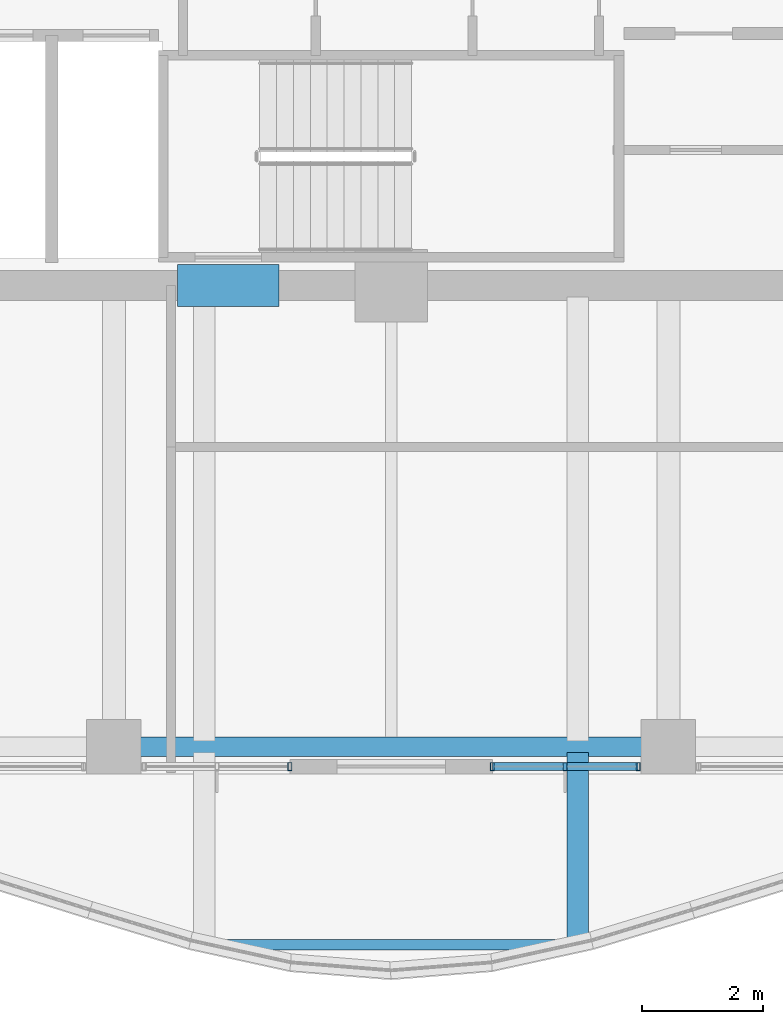
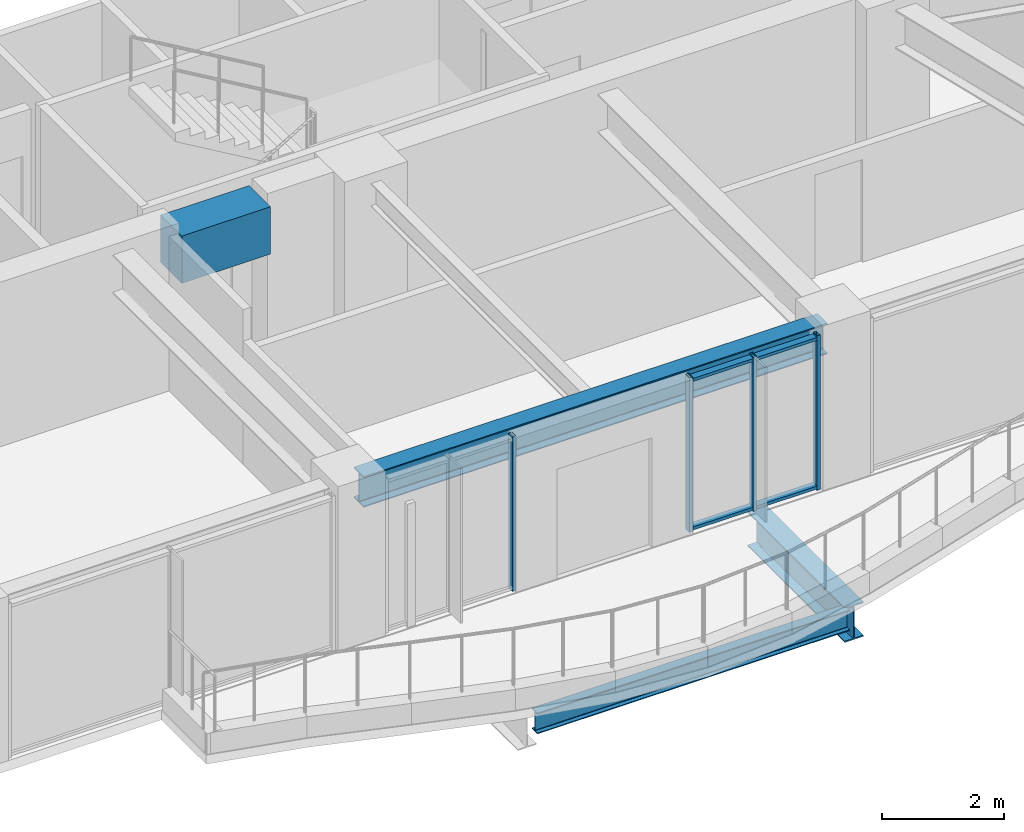
# One storey, part 6 of 31: 6 members, 4 beams, 2 elements without a shape of their own.
"""IFC4 building model written with IfcOpenShell, lengths in metres."""

from ifc_helpers import new_model, si_unit, direction, frame, origin, origin_2d, place, context, subcontext, project, spatial, rectangle, hollow_rectangle, i_section, extrude, material, material_profile, profile_set, type_object, element, aggregate, save


model = new_model("IFC4")

# Units and contexts
model_context = context("Model", 3, precision=1e-05, world=origin(), true_north=direction((0.0, 1.0)))
body_context = subcontext(model_context, "Body", "Model", "MODEL_VIEW")
ifc_project = project(units=[si_unit("LENGTHUNIT", "METRE"), si_unit("AREAUNIT", "SQUARE_METRE"), si_unit("VOLUMEUNIT", "CUBIC_METRE"), si_unit("PLANEANGLEUNIT", "RADIAN"), si_unit("MASSUNIT", "GRAM", prefix="KILO")], contexts=[model_context])

# Site, building, storey
site_placement = place(None, origin())
site = spatial("IfcSite", under=ifc_project, at=site_placement, CompositionType="ELEMENT")
building_placement = place(site_placement, origin())
building = spatial("IfcBuilding", under=site, at=building_placement, Name="Kolvaren Belvedere", CompositionType="ELEMENT")
storey_placement = place(building_placement, frame((0.0, 0.0, 134.89990234375)))
storey = spatial("IfcBuildingStorey", under=building, at=storey_placement, Name="L39", CompositionType="ELEMENT", Elevation=134.89990234375)

# Beams
ifc_material_1 = material(Name="Structural steel ASTM A992 Grade 50", Category="steel")
ifc_material_profile_1 = material_profile(ifc_material_1, i_section(OverallWidth=0.35498046875, OverallDepth=0.696044921875, WebThickness=0.015380859375, FlangeThickness=0.02490234375, FilletRadius=0.02197265625, at=origin_2d()), Name="W27X146")
ifc_profile_set_1 = profile_set([ifc_material_profile_1], Name="Structural steel ASTM A992 Grade 50")
beam_type_1 = type_object("IfcBeamType", Name="BM-CANT-BAL", PredefinedType="BEAM", material=ifc_profile_set_1)
beam_1_placement = place(storey_placement, frame((3.10009765625, -17.64501953125, -0.5478515625), z_axis=(0.0, -1.0, 0.0), x_axis=(1.0, 0.0, 0.0)))
element("IfcBeam", 1, at=beam_1_placement, inside=storey, type_object=beam_type_1, Name="L39 Planted Balcony Cantilever BAL-S-2", PredefinedType="BEAM", context=body_context, shape_type="SweptSolid", body=[
    extrude(i_section(OverallWidth=0.35498046875, OverallDepth=0.696044921875, WebThickness=0.015380859375, FlangeThickness=0.02490234375, FilletRadius=0.02197265625, at=origin_2d()), origin(), (0.0, 0.0, 1.0), 3.190673828125),
])
ifc_material_2 = material(Name="Structural steel ASTM A992 Grade 50", Category="steel")
ifc_material_profile_2 = material_profile(ifc_material_2, i_section(OverallWidth=0.180908203125, OverallDepth=0.4169921875, WebThickness=0.010986328125, FlangeThickness=0.018310546875, FilletRadius=0.013916015625, at=origin_2d()), Name="W16X57")
ifc_profile_set_2 = profile_set([ifc_material_profile_2], Name="Structural steel ASTM A992 Grade 50")
beam_type_2 = type_object("IfcBeamType", Name="BM-EDGE-W16X57", PredefinedType="BEAM", material=ifc_profile_set_2)
beam_2_placement = place(storey_placement, frame((-2.9599609375, -20.835693359375, -0.408447265625), z_axis=(1.0, 0.0, 0.0), x_axis=(0.0, 1.0, 0.0)))
element("IfcBeam", 2, at=beam_2_placement, inside=storey, type_object=beam_type_2, Name="L39 Balcony Tip Header Beam BAL-S", PredefinedType="BEAM", context=body_context, shape_type="SweptSolid", body=[
    extrude(i_section(OverallWidth=0.180908203125, OverallDepth=0.4169921875, WebThickness=0.010986328125, FlangeThickness=0.018310546875, FilletRadius=0.013916015625, at=origin_2d()), origin(), (0.0, 0.0, 1.0), 5.919921875),
])
ifc_material_3 = material(Name="Concrete C60/75", Category="concrete")
ifc_material_profile_3 = material_profile(ifc_material_3, rectangle(XDim=0.699951171875, YDim=0.949951171875, at=origin_2d()), Name="RC 700X950")
ifc_profile_set_3 = profile_set([ifc_material_profile_3], Name="Concrete C60/75")
beam_type_3 = type_object("IfcBeamType", Name="BM-LINT-950", PredefinedType="LINTEL", material=ifc_profile_set_3)
beam_3_placement = place(storey_placement, frame((-3.5400390625, -9.89990234375, 2.625), z_axis=(1.0, 0.0, 0.0), x_axis=(0.0, 1.0, 0.0)))
element("IfcBeam", 3, at=beam_3_placement, inside=storey, type_object=beam_type_3, Name="L39 South Core Coupling Lintel", PredefinedType="LINTEL", context=body_context, shape_type="SweptSolid", body=[
    extrude(rectangle(XDim=0.699951171875, YDim=0.949951171875, at=origin_2d()), origin(), (0.0, 0.0, 1.0), 1.679931640625),
])
ifc_material_4 = material(Name="Structural steel ASTM A992 Grade 50", Category="steel")
ifc_material_profile_4 = material_profile(ifc_material_4, i_section(OverallWidth=0.324951171875, OverallDepth=0.615966796875, WebThickness=0.013916015625, FlangeThickness=0.021484375, FilletRadius=0.02001953125, at=origin_2d()), Name="W24X117")
ifc_profile_set_4 = profile_set([ifc_material_profile_4], Name="Structural steel ASTM A992 Grade 50")
beam_type_4 = type_object("IfcBeamType", Name="BM-SPAN-W24X117", PredefinedType="SPANDREL", material=ifc_profile_set_4)
beam_4_placement = place(storey_placement, frame((-4.3974609375, -17.550048828125, 2.7919921875), z_axis=(1.0, 0.0, 0.0), x_axis=(0.0, 1.0, 0.0)))
element("IfcBeam", 4, at=beam_4_placement, inside=storey, type_object=beam_type_4, Name="L39 Perimeter Spandrel S2-S3", PredefinedType="SPANDREL", context=body_context, shape_type="SweptSolid", body=[
    extrude(i_section(OverallWidth=0.324951171875, OverallDepth=0.615966796875, WebThickness=0.013916015625, FlangeThickness=0.021484375, FilletRadius=0.02001953125, at=origin_2d()), origin(), (0.0, 0.0, 1.0), 8.794921875),
])

# Curtain wall, members
ifc_material_5 = material(Name="Anodised pale-metal aluminium AA 6063-T6", Category="aluminium")
curtain_wall_type = type_object("IfcCurtainWallType", Name="CW-Z3-WAIST", PredefinedType="NOTDEFINED", material=ifc_material_5)
curtain_wall_1_placement = place(storey_placement, origin())
curtain_wall_1 = element("IfcCurtainWall", 5, at=curtain_wall_1_placement, inside=storey, type_object=curtain_wall_type, Name="L39 Unitised Curtain Wall FCW-L39-S1-B2", PredefinedType="NOTDEFINED")
ifc_material_6 = material(Name="Anodised pale-metal aluminium AA 6063-T6", Category="aluminium")
ifc_material_profile_5 = material_profile(ifc_material_6, hollow_rectangle(XDim=0.06494140625, YDim=0.1298828125, WallThickness=0.00390625, at=origin_2d()), Name="ALU-MUL-130X65")
ifc_profile_set_5 = profile_set([ifc_material_profile_5], Name="Anodised pale-metal aluminium AA 6063-T6")
member_type_1 = type_object("IfcMemberType", Name="CW-MUL-130", PredefinedType="MULLION", material=ifc_profile_set_5)
member_1_placement = place(storey_placement, frame((4.097412109375, -17.8798828125, 0.0), z_axis=(0.0, 0.0, 1.0), x_axis=(1.0, 0.0, 0.0)))
member_1 = element("IfcMember", 6, at=member_1_placement, type_object=member_type_1, Name="FCW-L39-S1-B2 Unitised Mullion 1", PredefinedType="MULLION", context=body_context, shape_type="SweptSolid", body=[
    extrude(hollow_rectangle(XDim=0.06494140625, YDim=0.1298828125, WallThickness=0.00390625, at=origin_2d()), origin(), (0.0, 0.0, 1.0), 3.10009765625),
])
member_2_placement = place(storey_placement, frame((2.888671875, -17.8798828125, 0.0), z_axis=(0.0, 0.0, 1.0), x_axis=(1.0, 0.0, 0.0)))
member_2 = element("IfcMember", 7, at=member_2_placement, type_object=member_type_1, Name="FCW-L39-S1-B2 Unitised Mullion 2", PredefinedType="MULLION", context=body_context, shape_type="SweptSolid", body=[
    extrude(hollow_rectangle(XDim=0.06494140625, YDim=0.1298828125, WallThickness=0.00390625, at=origin_2d()), origin(), (0.0, 0.0, 1.0), 3.10009765625),
])
member_3_placement = place(storey_placement, frame((1.679931640625, -17.8798828125, 0.0), z_axis=(0.0, 0.0, 1.0), x_axis=(1.0, 0.0, 0.0)))
member_3 = element("IfcMember", 8, at=member_3_placement, type_object=member_type_1, Name="FCW-L39-S1-B2 Unitised Mullion 3", PredefinedType="MULLION", context=body_context, shape_type="SweptSolid", body=[
    extrude(hollow_rectangle(XDim=0.06494140625, YDim=0.1298828125, WallThickness=0.00390625, at=origin_2d()), origin(), (0.0, 0.0, 1.0), 3.10009765625),
])

# Curtain wall, member
curtain_wall_2_placement = place(storey_placement, origin())
curtain_wall_2 = element("IfcCurtainWall", 9, at=curtain_wall_2_placement, inside=storey, type_object=curtain_wall_type, Name="L39 Unitised Curtain Wall FCW-L39-S2-B1", PredefinedType="NOTDEFINED")
member_4_placement = place(storey_placement, frame((-1.679931640625, -17.8798828125, 0.0), z_axis=(0.0, 0.0, 1.0), x_axis=(1.0, 0.0, 0.0)))
member_4 = element("IfcMember", 10, at=member_4_placement, type_object=member_type_1, Name="FCW-L39-S2-B1 Unitised Mullion 1", PredefinedType="MULLION", context=body_context, shape_type="SweptSolid", body=[
    extrude(hollow_rectangle(XDim=0.06494140625, YDim=0.1298828125, WallThickness=0.00390625, at=origin_2d()), origin(), (0.0, 0.0, 1.0), 3.10009765625),
])
aggregate(curtain_wall_2, [member_4])

# Member
ifc_material_7 = material(Name="Anodised pale-metal aluminium AA 6063-T6", Category="aluminium")
ifc_material_profile_6 = material_profile(ifc_material_7, hollow_rectangle(XDim=0.06005859375, YDim=0.1298828125, WallThickness=0.00390625, at=origin_2d()), Name="ALU-TRN-130X60")
ifc_profile_set_6 = profile_set([ifc_material_profile_6], Name="Anodised pale-metal aluminium AA 6063-T6")
member_type_2 = type_object("IfcMemberType", Name="CW-TRN-130", PredefinedType="USERDEFINED", material=ifc_profile_set_6)
member_5_placement = place(storey_placement, frame((4.097412109375, -17.8798828125, 0.06005859375), z_axis=(-1.0, 0.0, 0.0), x_axis=(0.0, 0.0, 1.0)))
member_5 = element("IfcMember", 11, at=member_5_placement, type_object=member_type_2, Name="FCW-L39-S1-B2 Sill Transom", ObjectType="TRANSOM", PredefinedType="USERDEFINED", context=body_context, shape_type="SweptSolid", body=[
    extrude(hollow_rectangle(XDim=0.06005859375, YDim=0.1298828125, WallThickness=0.00390625, at=origin_2d()), origin(), (0.0, 0.0, 1.0), 2.41748046875),
])

member_6_placement = place(storey_placement, frame((4.097412109375, -17.8798828125, 3.0400390625), z_axis=(-1.0, 0.0, 0.0), x_axis=(0.0, 0.0, 1.0)))
member_6 = element("IfcMember", 12, at=member_6_placement, type_object=member_type_2, Name="FCW-L39-S1-B2 Head Transom", ObjectType="TRANSOM", PredefinedType="USERDEFINED", context=body_context, shape_type="SweptSolid", body=[
    extrude(hollow_rectangle(XDim=0.06005859375, YDim=0.1298828125, WallThickness=0.00390625, at=origin_2d()), origin(), (0.0, 0.0, 1.0), 2.41748046875),
])

aggregate(curtain_wall_1, [member_1, member_2, member_3, member_5, member_6])

save(model, "model.ifc")
